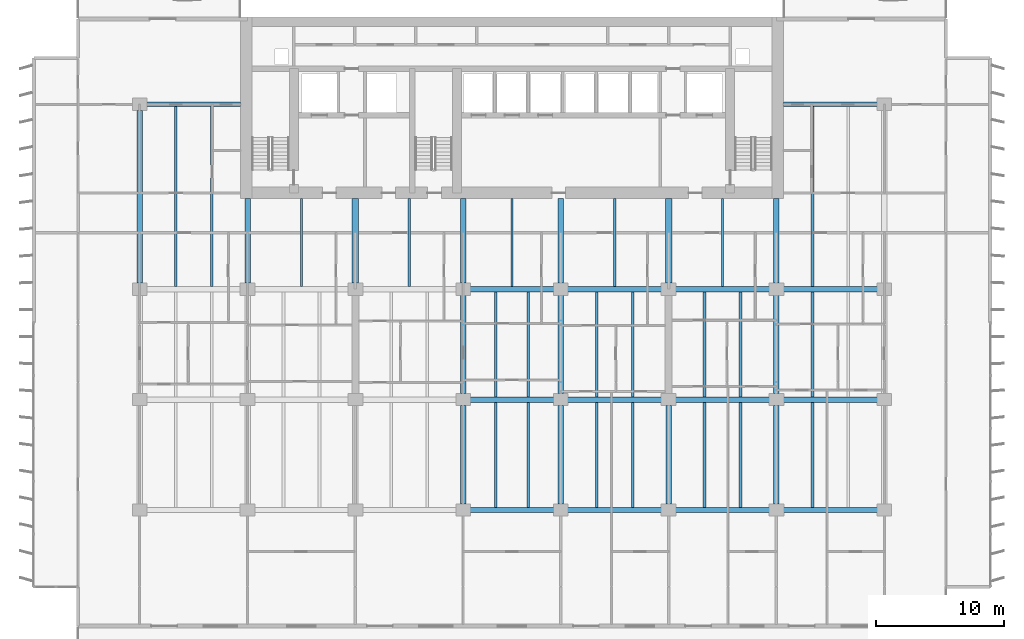
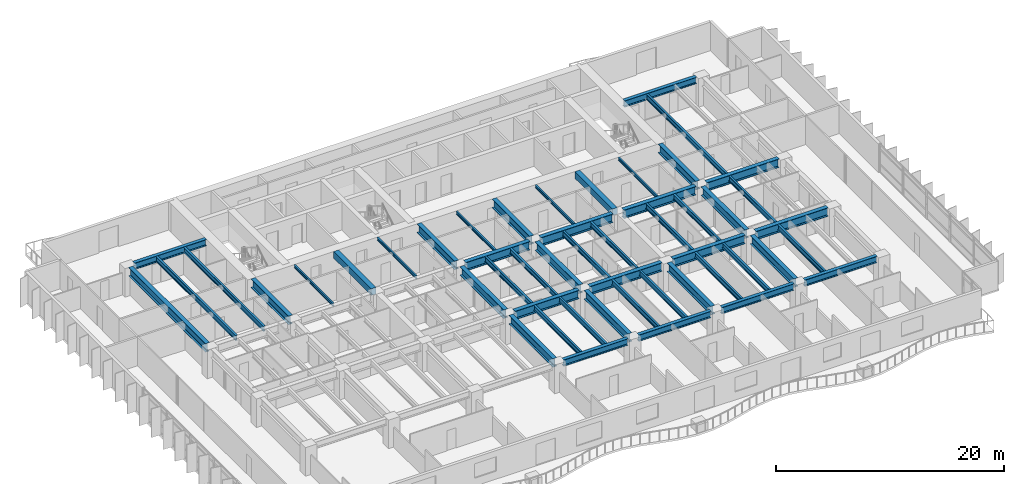
# One storey, part 3 of 17: 50 beams.
"""IFC4 building model written with IfcOpenShell, lengths in metres."""

import ifcopenshell
import ifcopenshell.guid

model = None  # the IFC model being written
_history = None  # IfcOwnerHistory: only IFC2X3 demands one
_inside = {}  # id of a spatial element -> (the spatial element, [elements in it])
_under = {}  # id of a project, library or spatial element -> (it, [spatial elements below it])
_declared = {}  # id of a project -> (the project, [libraries it declares])
_typed = {}  # id of a type object -> (the type object, [elements of that type])
_made_of = {}  # id of a material, layer set ... -> (it, [elements and type objects made of it])


def new_model(schema):
    """Start an empty IFC model of exactly this schema.

    Asked for "IFC4X3", IfcOpenShell would pick the latest addendum, in which some entities
    have other attributes; the version numbers below select the first issue.
    IFC2X3 requires an IfcOwnerHistory on every rooted entity: one is made here for all.
    """
    global model, _history
    if schema == "IFC4X3":
        model = ifcopenshell.file(schema_version=(4, 3, 0, 0))
    else:
        model = ifcopenshell.file(schema=schema)
    _inside.clear()
    _under.clear()
    _declared.clear()
    _typed.clear()
    _made_of.clear()
    _history = None
    if model.schema == "IFC2X3":
        org = make("IfcOrganization", Name="unknown")
        user = make(
            "IfcPersonAndOrganization",
            ThePerson=make("IfcPerson", FamilyName="unknown"),
            TheOrganization=org,
        )
        app = make(
            "IfcApplication",
            ApplicationDeveloper=org,
            Version="unknown",
            ApplicationFullName="unknown",
            ApplicationIdentifier="unknown",
        )
        _history = make(
            "IfcOwnerHistory",
            OwningUser=user,
            OwningApplication=app,
            ChangeAction="ADDED",
            CreationDate=0,
        )
    return model


def make(cls, **values):
    """One entity of the class cls with the attributes given. An attribute that is None is left unset."""
    return model.create_entity(
        cls, **{name: value for name, value in values.items() if value is not None}
    )


def rooted(cls, **values):
    """An entity with a GlobalId (a new one), such as an element, a storey or a relation."""
    return make(cls, GlobalId=ifcopenshell.guid.new(), OwnerHistory=_history, **values)


def si_unit(unit_type, name, prefix=None):
    """IfcSIUnit, for example si_unit("LENGTHUNIT", "METRE", prefix="MILLI")."""
    return make("IfcSIUnit", UnitType=unit_type, Prefix=prefix, Name=name)


def assignment(units):
    """IfcUnitAssignment: the units of a project."""
    return None if units is None else make("IfcUnitAssignment", Units=units)


def point(xyz):
    """IfcCartesianPoint."""
    return None if xyz is None else make("IfcCartesianPoint", Coordinates=xyz)


def direction(xyz):
    """IfcDirection."""
    return None if xyz is None else make("IfcDirection", DirectionRatios=xyz)


def frame(location, z_axis=None, x_axis=None):
    """IfcAxis2Placement3D, a coordinate frame: its origin and axes. An axis left out is left unset."""
    return make(
        "IfcAxis2Placement3D",
        Location=point(location),
        Axis=direction(z_axis),
        RefDirection=direction(x_axis),
    )


def frame_2d(location, x_axis=None):
    """IfcAxis2Placement2D, a coordinate frame in the plane: its origin and x axis."""
    return make(
        "IfcAxis2Placement2D", Location=point(location), RefDirection=direction(x_axis)
    )


def origin():
    """The frame at (0, 0, 0) with its axes left unset."""
    return frame((0.0, 0.0, 0.0))


def origin_2d():
    """The frame at (0, 0) in the plane with its x axis left unset."""
    return frame_2d((0.0, 0.0))


def place(relative_to, where):
    """IfcLocalPlacement: puts the frame where relative to a parent placement (None: the world)."""
    return make(
        "IfcLocalPlacement", PlacementRelTo=relative_to, RelativePlacement=where
    )


def context(
    kind, dimensions, precision=None, world=None, true_north=None, identifier=None
):
    """IfcGeometricRepresentationContext, for example the 3D "Model" context."""
    return make(
        "IfcGeometricRepresentationContext",
        ContextIdentifier=identifier,
        ContextType=kind,
        CoordinateSpaceDimension=dimensions,
        Precision=precision,
        WorldCoordinateSystem=world,
        TrueNorth=true_north,
    )


def subcontext(parent, identifier, kind, view, scale=None):
    """IfcGeometricRepresentationSubContext, for example "Body" below "Model"."""
    return make(
        "IfcGeometricRepresentationSubContext",
        ContextIdentifier=identifier,
        ContextType=kind,
        ParentContext=parent,
        TargetScale=scale,
        TargetView=view,
    )


def project(units=None, contexts=None):
    """IfcProject with its units and contexts."""
    return rooted(
        "IfcProject",
        Name="project",
        RepresentationContexts=contexts,
        UnitsInContext=assignment(units),
    )


def spatial(cls, under=None, at=None, **own):
    """A site, building, storey or space (cls), placed at a placement, below another one or the project."""
    s = rooted(cls, ObjectPlacement=at, **own)
    if under is not None:
        _under.setdefault(under.id(), (under, []))[1].append(s)
    return s


def profile(cls, at=None, kind="AREA", **sizes):
    """A parametric profile (cls). Its sizes go by their IFC names, for example OverallWidth=200.0."""
    return make(cls, ProfileType=kind, Position=at, **sizes)


def rectangle(**sizes):
    """IfcRectangleProfileDef."""
    return profile("IfcRectangleProfileDef", **sizes)


def i_section(**sizes):
    """IfcIShapeProfileDef."""
    return profile("IfcIShapeProfileDef", **sizes)


def extrude(swept, where, along, depth):
    """IfcExtrudedAreaSolid: the profile swept, set in the frame where, extruded along a direction by depth."""
    return make(
        "IfcExtrudedAreaSolid",
        SweptArea=swept,
        Position=where,
        ExtrudedDirection=direction(along),
        Depth=depth,
    )


def shape(context_of_items, identifier, shape_type, items):
    """IfcShapeRepresentation: the items that make up one representation, for example the "Body"."""
    return make(
        "IfcShapeRepresentation",
        ContextOfItems=context_of_items,
        RepresentationIdentifier=identifier,
        RepresentationType=shape_type,
        Items=items,
    )


def material(Name=None, Category=None):
    """IfcMaterial."""
    return make("IfcMaterial", Name=Name, Category=Category)


def material_profile(
    of_material, cross_section, Name=None, Category=None, Priority=None
):
    """IfcMaterialProfile: a cross section and its material."""
    return make(
        "IfcMaterialProfile",
        Name=Name,
        Material=of_material,
        Profile=cross_section,
        Priority=Priority,
        Category=Category,
    )


def profile_set(profiles, Name=None, composite=None):
    """IfcMaterialProfileSet."""
    return make(
        "IfcMaterialProfileSet",
        Name=Name,
        MaterialProfiles=profiles,
        CompositeProfile=composite,
    )


def made_of(thing, what):
    """Note that an element or type object is made of a material, layer set ...; save() writes the relation."""
    if what is not None:
        _made_of.setdefault(what.id(), (what, []))[1].append(thing)
    return thing


def type_object(cls, material=None, **own):
    """A type object (cls), such as IfcWallType, which elements share."""
    return made_of(rooted(cls, **own), material)


def element(
    cls,
    number,
    at=None,
    inside=None,
    cuts=None,
    type_object=None,
    material=None,
    context=None,
    identifier="Body",
    shape_type=None,
    held_by="IfcProductDefinitionShape",
    body=None,
    shapes=None,
    **own,
):
    """One element of the class cls, such as IfcWall. Its Tag is "e" and its number.

    at: its placement. inside: the storey or other place that contains it. cuts: it is an
    opening in that element (IfcRelVoidsElement). A single representation is given by context,
    identifier, shape_type and body (its items); several are given by shapes. held_by: the class
    of the entity that holds the representations. save() writes the other relations.
    """
    e = rooted(cls, Tag="e%d" % number, ObjectPlacement=at, **own)
    if body is not None:
        shapes = [shape(context, identifier, shape_type, body)]
    if shapes is not None:
        e.Representation = make(held_by, Representations=shapes)
    if inside is not None:
        _inside.setdefault(inside.id(), (inside, []))[1].append(e)
    if cuts is not None:
        rooted(
            "IfcRelVoidsElement", RelatingBuildingElement=cuts, RelatedOpeningElement=e
        )
    if type_object is not None:
        _typed.setdefault(type_object.id(), (type_object, []))[1].append(e)
    return made_of(e, material)


def aggregate(whole, parts):
    """IfcRelAggregates: a whole, such as a stair, and the parts it consists of."""
    return rooted("IfcRelAggregates", RelatingObject=whole, RelatedObjects=parts)


def save(model, path):
    """Write the relations noted so far, then the file.

    IfcRelAggregates (storeys below a building ...), IfcRelContainedInSpatialStructure (elements
    in a storey), IfcRelDefinesByType, IfcRelAssociatesMaterial and IfcRelDeclares: one each for
    every whole, place, type object, material and project.
    """
    for whole, parts in _under.values():
        aggregate(whole, parts)
    for where, things in _inside.values():
        rooted(
            "IfcRelContainedInSpatialStructure",
            RelatedElements=things,
            RelatingStructure=where,
        )
    for kind, things in _typed.values():
        rooted("IfcRelDefinesByType", RelatedObjects=things, RelatingType=kind)
    for what, things in _made_of.values():
        rooted("IfcRelAssociatesMaterial", RelatedObjects=things, RelatingMaterial=what)
    for by, libraries in _declared.values():
        rooted("IfcRelDeclares", RelatingContext=by, RelatedDefinitions=libraries)
    model.write(path)


model = new_model("IFC4")

# Units and contexts
model_context = context("Model", 3, precision=1e-05, world=origin(), true_north=direction((0.0, 1.0)))
body_context = subcontext(model_context, "Body", "Model", "MODEL_VIEW")
ifc_project = project(units=[si_unit("LENGTHUNIT", "METRE"), si_unit("AREAUNIT", "SQUARE_METRE"), si_unit("VOLUMEUNIT", "CUBIC_METRE"), si_unit("PLANEANGLEUNIT", "RADIAN"), si_unit("MASSUNIT", "GRAM", prefix="KILO")], contexts=[model_context])

# Site, building, storey
site_placement = place(None, origin())
site = spatial("IfcSite", under=ifc_project, at=site_placement, CompositionType="ELEMENT")
building_placement = place(site_placement, origin())
building = spatial("IfcBuilding", under=site, at=building_placement, Name="Caelmar Bay Residences", CompositionType="ELEMENT")
storey_placement = place(building_placement, frame((0.0, 0.0, 63.0)))
storey = spatial("IfcBuildingStorey", under=building, at=storey_placement, Name="L16", CompositionType="ELEMENT", Elevation=63.0)

# Beams
ifc_material_1 = material(Name="Steel ASTM A992 Grade 50", Category="steel")
ifc_material_profile_1 = material_profile(ifc_material_1, i_section(OverallWidth=0.422119140625, OverallDepth=0.925048828125, WebThickness=0.021240234375, FlangeThickness=0.03662109375, FilletRadius=0.020263671875, at=origin_2d()), Name="W36X262")
ifc_profile_set_1 = profile_set([ifc_material_profile_1], Name="Steel ASTM A992 Grade 50")
beam_type_1 = type_object("IfcBeamType", Name="BM-GRD-W36X262", PredefinedType="BEAM", material=ifc_profile_set_1)
beam_1_placement = place(storey_placement, frame((35.639892578125, 20.800048828125, 2.58740234375), z_axis=(1.0, 0.0, 0.0), x_axis=(0.0, 1.0, 0.0)))
element("IfcBeam", 1, at=beam_1_placement, inside=storey, type_object=beam_type_1, Name="L16 East-West Girder Y=20.80 (35.1-42.7)", PredefinedType="BEAM", context=body_context, shape_type="SweptSolid", body=[
    extrude(i_section(OverallWidth=0.422119140625, OverallDepth=0.925048828125, WebThickness=0.021240234375, FlangeThickness=0.03662109375, FilletRadius=0.020263671875, at=origin_2d()), origin(), (0.0, 0.0, 1.0), 6.52001953125),
])
for number, where, z_axis, x_axis, name in (
    (2, (43.239990234375, 20.800048828125, 2.58740234375), (1.0, 0.0, 0.0), (0.0, 1.0, 0.0), "L16 East-West Girder Y=20.80 (42.7-51.1)"),
    (3, (51.639892578125, 20.800048828125, 2.58740234375), (1.0, 0.0, 0.0), (0.0, 1.0, 0.0), "L16 East-West Girder Y=20.80 (51.1-59.5)"),
    (4, (60.0400390625, 20.800048828125, 2.58740234375), (1.0, 0.0, 0.0), (0.0, 1.0, 0.0), "L16 East-West Girder Y=20.80 (59.5-67.9)"),
):
    element("IfcBeam", number, at=place(storey_placement, frame(where, z_axis=z_axis, x_axis=x_axis)), inside=storey, type_object=beam_type_1, Name=name, PredefinedType="BEAM", context=body_context, shape_type="SweptSolid", body=[
        extrude(i_section(OverallWidth=0.422119140625, OverallDepth=0.925048828125, WebThickness=0.021240234375, FlangeThickness=0.03662109375, FilletRadius=0.020263671875, at=origin_2d()), origin(), (0.0, 0.0, 1.0), 7.320068359375),
    ])
beam_2_placement = place(storey_placement, frame((35.639892578125, 29.39990234375, 2.58740234375), z_axis=(1.0, 0.0, 0.0), x_axis=(0.0, 1.0, 0.0)))
element("IfcBeam", 5, at=beam_2_placement, inside=storey, type_object=beam_type_1, Name="L16 East-West Girder Y=29.40 (35.1-42.7)", PredefinedType="BEAM", context=body_context, shape_type="SweptSolid", body=[
    extrude(i_section(OverallWidth=0.422119140625, OverallDepth=0.925048828125, WebThickness=0.021240234375, FlangeThickness=0.03662109375, FilletRadius=0.020263671875, at=origin_2d()), origin(), (0.0, 0.0, 1.0), 6.52001953125),
])
for number, where, z_axis, x_axis, name in (
    (6, (43.239990234375, 29.39990234375, 2.58740234375), (1.0, 0.0, 0.0), (0.0, 1.0, 0.0), "L16 East-West Girder Y=29.40 (42.7-51.1)"),
    (7, (51.639892578125, 29.39990234375, 2.58740234375), (1.0, 0.0, 0.0), (0.0, 1.0, 0.0), "L16 East-West Girder Y=29.40 (51.1-59.5)"),
    (8, (60.0400390625, 29.39990234375, 2.58740234375), (1.0, 0.0, 0.0), (0.0, 1.0, 0.0), "L16 East-West Girder Y=29.40 (59.5-67.9)"),
):
    element("IfcBeam", number, at=place(storey_placement, frame(where, z_axis=z_axis, x_axis=x_axis)), inside=storey, type_object=beam_type_1, Name=name, PredefinedType="BEAM", context=body_context, shape_type="SweptSolid", body=[
        extrude(i_section(OverallWidth=0.422119140625, OverallDepth=0.925048828125, WebThickness=0.021240234375, FlangeThickness=0.03662109375, FilletRadius=0.020263671875, at=origin_2d()), origin(), (0.0, 0.0, 1.0), 7.320068359375),
    ])
beam_3_placement = place(storey_placement, frame((9.89990234375, 29.864990234375, 2.58740234375), z_axis=(0.0, 1.0, 0.0), x_axis=(-1.0, 0.0, 0.0)))
element("IfcBeam", 9, at=beam_3_placement, inside=storey, type_object=beam_type_1, Name="L16 North-South Girder X=9.90 (29.4-43.8)", PredefinedType="BEAM", context=body_context, shape_type="SweptSolid", body=[
    extrude(i_section(OverallWidth=0.422119140625, OverallDepth=0.925048828125, WebThickness=0.021240234375, FlangeThickness=0.03662109375, FilletRadius=0.020263671875, at=origin_2d()), origin(), (0.0, 0.0, 1.0), 13.469970703125),
])
for number, where, z_axis, x_axis, name in (
    (10, (18.300048828125, 29.864990234375, 2.58740234375), (0.0, 1.0, 0.0), (-1.0, 0.0, 0.0), "L16 Core Tie Girder X=18.30"),
    (11, (35.10009765625, 29.864990234375, 2.58740234375), (0.0, 1.0, 0.0), (-1.0, 0.0, 0.0), "L16 Core Tie Girder X=35.10"),
):
    element("IfcBeam", number, at=place(storey_placement, frame(where, z_axis=z_axis, x_axis=x_axis)), inside=storey, type_object=beam_type_1, Name=name, PredefinedType="BEAM", context=body_context, shape_type="SweptSolid", body=[
        extrude(i_section(OverallWidth=0.422119140625, OverallDepth=0.925048828125, WebThickness=0.021240234375, FlangeThickness=0.03662109375, FilletRadius=0.020263671875, at=origin_2d()), origin(), (0.0, 0.0, 1.0), 6.5849609375),
    ])
beam_4_placement = place(storey_placement, frame((35.10009765625, 12.6650390625, 2.58740234375), z_axis=(0.0, 1.0, 0.0), x_axis=(-1.0, 0.0, 0.0)))
element("IfcBeam", 12, at=beam_4_placement, inside=storey, type_object=beam_type_1, Name="L16 North-South Girder X=35.10 (12.2-20.8)", PredefinedType="BEAM", context=body_context, shape_type="SweptSolid", body=[
    extrude(i_section(OverallWidth=0.422119140625, OverallDepth=0.925048828125, WebThickness=0.021240234375, FlangeThickness=0.03662109375, FilletRadius=0.020263671875, at=origin_2d()), origin(), (0.0, 0.0, 1.0), 7.669921875),
])
beam_5_placement = place(storey_placement, frame((35.10009765625, 21.264892578125, 2.58740234375), z_axis=(0.0, 1.0, 0.0), x_axis=(-1.0, 0.0, 0.0)))
element("IfcBeam", 13, at=beam_5_placement, inside=storey, type_object=beam_type_1, Name="L16 North-South Girder X=35.10 (20.8-29.4)", PredefinedType="BEAM", context=body_context, shape_type="SweptSolid", body=[
    extrude(i_section(OverallWidth=0.422119140625, OverallDepth=0.925048828125, WebThickness=0.021240234375, FlangeThickness=0.03662109375, FilletRadius=0.020263671875, at=origin_2d()), origin(), (0.0, 0.0, 1.0), 7.670166015625),
])
beam_6_placement = place(storey_placement, frame((42.699951171875, 29.864990234375, 2.58740234375), z_axis=(0.0, 1.0, 0.0), x_axis=(-1.0, 0.0, 0.0)))
element("IfcBeam", 14, at=beam_6_placement, inside=storey, type_object=beam_type_1, Name="L16 Core Tie Girder X=42.70", PredefinedType="BEAM", context=body_context, shape_type="SweptSolid", body=[
    extrude(i_section(OverallWidth=0.422119140625, OverallDepth=0.925048828125, WebThickness=0.021240234375, FlangeThickness=0.03662109375, FilletRadius=0.020263671875, at=origin_2d()), origin(), (0.0, 0.0, 1.0), 6.5849609375),
])
beam_7_placement = place(storey_placement, frame((42.699951171875, 12.6650390625, 2.58740234375), z_axis=(0.0, 1.0, 0.0), x_axis=(-1.0, 0.0, 0.0)))
element("IfcBeam", 15, at=beam_7_placement, inside=storey, type_object=beam_type_1, Name="L16 North-South Girder X=42.70 (12.2-20.8)", PredefinedType="BEAM", context=body_context, shape_type="SweptSolid", body=[
    extrude(i_section(OverallWidth=0.422119140625, OverallDepth=0.925048828125, WebThickness=0.021240234375, FlangeThickness=0.03662109375, FilletRadius=0.020263671875, at=origin_2d()), origin(), (0.0, 0.0, 1.0), 7.669921875),
])
beam_8_placement = place(storey_placement, frame((42.699951171875, 21.264892578125, 2.58740234375), z_axis=(0.0, 1.0, 0.0), x_axis=(-1.0, 0.0, 0.0)))
element("IfcBeam", 16, at=beam_8_placement, inside=storey, type_object=beam_type_1, Name="L16 North-South Girder X=42.70 (20.8-29.4)", PredefinedType="BEAM", context=body_context, shape_type="SweptSolid", body=[
    extrude(i_section(OverallWidth=0.422119140625, OverallDepth=0.925048828125, WebThickness=0.021240234375, FlangeThickness=0.03662109375, FilletRadius=0.020263671875, at=origin_2d()), origin(), (0.0, 0.0, 1.0), 7.670166015625),
])
beam_9_placement = place(storey_placement, frame((51.10009765625, 12.6650390625, 2.58740234375), z_axis=(0.0, 1.0, 0.0), x_axis=(-1.0, 0.0, 0.0)))
element("IfcBeam", 17, at=beam_9_placement, inside=storey, type_object=beam_type_1, Name="L16 North-South Girder X=51.10 (12.2-20.8)", PredefinedType="BEAM", context=body_context, shape_type="SweptSolid", body=[
    extrude(i_section(OverallWidth=0.422119140625, OverallDepth=0.925048828125, WebThickness=0.021240234375, FlangeThickness=0.03662109375, FilletRadius=0.020263671875, at=origin_2d()), origin(), (0.0, 0.0, 1.0), 7.669921875),
])
beam_10_placement = place(storey_placement, frame((59.5, 29.864990234375, 2.58740234375), z_axis=(0.0, 1.0, 0.0), x_axis=(-1.0, 0.0, 0.0)))
element("IfcBeam", 18, at=beam_10_placement, inside=storey, type_object=beam_type_1, Name="L16 Core Tie Girder X=59.50", PredefinedType="BEAM", context=body_context, shape_type="SweptSolid", body=[
    extrude(i_section(OverallWidth=0.422119140625, OverallDepth=0.925048828125, WebThickness=0.021240234375, FlangeThickness=0.03662109375, FilletRadius=0.020263671875, at=origin_2d()), origin(), (0.0, 0.0, 1.0), 6.5849609375),
])
beam_11_placement = place(storey_placement, frame((59.5, 12.6650390625, 2.58740234375), z_axis=(0.0, 1.0, 0.0), x_axis=(-1.0, 0.0, 0.0)))
element("IfcBeam", 19, at=beam_11_placement, inside=storey, type_object=beam_type_1, Name="L16 North-South Girder X=59.50 (12.2-20.8)", PredefinedType="BEAM", context=body_context, shape_type="SweptSolid", body=[
    extrude(i_section(OverallWidth=0.422119140625, OverallDepth=0.925048828125, WebThickness=0.021240234375, FlangeThickness=0.03662109375, FilletRadius=0.020263671875, at=origin_2d()), origin(), (0.0, 0.0, 1.0), 7.669921875),
])
beam_12_placement = place(storey_placement, frame((59.5, 21.264892578125, 2.58740234375), z_axis=(0.0, 1.0, 0.0), x_axis=(-1.0, 0.0, 0.0)))
element("IfcBeam", 20, at=beam_12_placement, inside=storey, type_object=beam_type_1, Name="L16 North-South Girder X=59.50 (20.8-29.4)", PredefinedType="BEAM", context=body_context, shape_type="SweptSolid", body=[
    extrude(i_section(OverallWidth=0.422119140625, OverallDepth=0.925048828125, WebThickness=0.021240234375, FlangeThickness=0.03662109375, FilletRadius=0.020263671875, at=origin_2d()), origin(), (0.0, 0.0, 1.0), 7.670166015625),
])
ifc_material_profile_2 = material_profile(ifc_material_1, i_section(OverallWidth=0.1650390625, OverallDepth=0.31005859375, WebThickness=0.005859375, FlangeThickness=0.009765625, FilletRadius=0.007568359375, at=origin_2d()), Name="W12X26")
ifc_profile_set_2 = profile_set([ifc_material_profile_2], Name="Steel ASTM A992 Grade 50")
beam_type_2 = type_object("IfcBeamType", Name="BM-JST-W12X26", PredefinedType="JOIST", material=ifc_profile_set_2)
for number, where, z_axis, x_axis, name in (
    (21, (22.5, 29.611083984375, 2.89501953125), (0.0, 1.0, 0.0), (-1.0, 0.0, 0.0), "L16 Core-Band Composite Joist 29"),
    (22, (30.89990234375, 29.611083984375, 2.89501953125), (0.0, 1.0, 0.0), (-1.0, 0.0, 0.0), "L16 Core-Band Composite Joist 30"),
    (23, (38.89990234375, 29.611083984375, 2.89501953125), (0.0, 1.0, 0.0), (-1.0, 0.0, 0.0), "L16 Core-Band Composite Joist 31"),
    (24, (46.89990234375, 29.611083984375, 2.89501953125), (0.0, 1.0, 0.0), (-1.0, 0.0, 0.0), "L16 Core-Band Composite Joist 32"),
    (25, (55.300048828125, 29.611083984375, 2.89501953125), (0.0, 1.0, 0.0), (-1.0, 0.0, 0.0), "L16 Core-Band Composite Joist 33"),
):
    element("IfcBeam", number, at=place(storey_placement, frame(where, z_axis=z_axis, x_axis=x_axis)), inside=storey, type_object=beam_type_2, Name=name, PredefinedType="JOIST", context=body_context, shape_type="SweptSolid", body=[
        extrude(i_section(OverallWidth=0.1650390625, OverallDepth=0.31005859375, WebThickness=0.005859375, FlangeThickness=0.009765625, FilletRadius=0.007568359375, at=origin_2d()), origin(), (0.0, 0.0, 1.0), 6.8388671875),
    ])
ifc_material_profile_3 = material_profile(ifc_material_1, i_section(OverallWidth=0.2099609375, OverallDepth=0.535888671875, WebThickness=0.010986328125, FlangeThickness=0.017333984375, FilletRadius=0.0126953125, at=origin_2d()), Name="W21X68")
ifc_profile_set_3 = profile_set([ifc_material_profile_3], Name="Steel ASTM A992 Grade 50")
beam_type_3 = type_object("IfcBeamType", Name="BM-JST-W21X68", PredefinedType="JOIST", material=ifc_profile_set_3)
for number, where, z_axis, x_axis, name in (
    (26, (40.166748046875, 12.3779296875, 2.781982421875), (0.0, 1.0, 0.0), (-1.0, 0.0, 0.0), "L16 Composite Floor Joist 8"),
    (27, (48.300048828125, 12.3779296875, 2.781982421875), (0.0, 1.0, 0.0), (-1.0, 0.0, 0.0), "L16 Composite Floor Joist 10"),
    (28, (56.699951171875, 12.3779296875, 2.781982421875), (0.0, 1.0, 0.0), (-1.0, 0.0, 0.0), "L16 Composite Floor Joist 12"),
):
    element("IfcBeam", number, at=place(storey_placement, frame(where, z_axis=z_axis, x_axis=x_axis)), inside=storey, type_object=beam_type_3, Name=name, PredefinedType="JOIST", context=body_context, shape_type="SweptSolid", body=[
        extrude(i_section(OverallWidth=0.2099609375, OverallDepth=0.535888671875, WebThickness=0.010986328125, FlangeThickness=0.017333984375, FilletRadius=0.0126953125, at=origin_2d()), origin(), (0.0, 0.0, 1.0), 8.211181640625),
    ])
for number, where, z_axis, x_axis, name in (
    (29, (40.166748046875, 21.010986328125, 2.781982421875), (0.0, 1.0, 0.0), (-1.0, 0.0, 0.0), "L16 Composite Floor Joist 22"),
    (30, (48.300048828125, 21.010986328125, 2.781982421875), (0.0, 1.0, 0.0), (-1.0, 0.0, 0.0), "L16 Composite Floor Joist 24"),
    (31, (56.699951171875, 21.010986328125, 2.781982421875), (0.0, 1.0, 0.0), (-1.0, 0.0, 0.0), "L16 Composite Floor Joist 26"),
):
    element("IfcBeam", number, at=place(storey_placement, frame(where, z_axis=z_axis, x_axis=x_axis)), inside=storey, type_object=beam_type_3, Name=name, PredefinedType="JOIST", context=body_context, shape_type="SweptSolid", body=[
        extrude(i_section(OverallWidth=0.2099609375, OverallDepth=0.535888671875, WebThickness=0.010986328125, FlangeThickness=0.017333984375, FilletRadius=0.0126953125, at=origin_2d()), origin(), (0.0, 0.0, 1.0), 8.177978515625),
    ])
beam_13_placement = place(storey_placement, frame((15.5, 29.611083984375, 2.781982421875), z_axis=(0.0, 1.0, 0.0), x_axis=(-1.0, 0.0, 0.0)))
element("IfcBeam", 32, at=beam_13_placement, inside=storey, type_object=beam_type_3, Name="L16 Composite Floor Joist 35", PredefinedType="JOIST", context=body_context, shape_type="SweptSolid", body=[
    extrude(i_section(OverallWidth=0.2099609375, OverallDepth=0.535888671875, WebThickness=0.010986328125, FlangeThickness=0.017333984375, FilletRadius=0.0126953125, at=origin_2d()), origin(), (0.0, 0.0, 1.0), 14.010986328125),
])
ifc_material_profile_4 = material_profile(ifc_material_1, i_section(OverallWidth=0.214111328125, OverallDepth=0.549072265625, WebThickness=0.0146484375, FlangeThickness=0.023681640625, FilletRadius=0.0126953125, at=origin_2d()), Name="W21X93")
ifc_profile_set_4 = profile_set([ifc_material_profile_4], Name="Steel ASTM A992 Grade 50")
beam_type_4 = type_object("IfcBeamType", Name="BM-JST-W21X93", PredefinedType="JOIST", material=ifc_profile_set_4)
for number, where, z_axis, x_axis, name in (
    (33, (37.63330078125, 12.3779296875, 2.775390625), (0.0, 1.0, 0.0), (-1.0, 0.0, 0.0), "L16 Composite Floor Joist 7"),
    (34, (45.5, 12.3779296875, 2.775390625), (0.0, 1.0, 0.0), (-1.0, 0.0, 0.0), "L16 Composite Floor Joist 9"),
    (35, (53.89990234375, 12.3779296875, 2.775390625), (0.0, 1.0, 0.0), (-1.0, 0.0, 0.0), "L16 Composite Floor Joist 11"),
    (36, (62.300048828125, 12.3779296875, 2.775390625), (0.0, 1.0, 0.0), (-1.0, 0.0, 0.0), "L16 Composite Floor Joist 13"),
):
    element("IfcBeam", number, at=place(storey_placement, frame(where, z_axis=z_axis, x_axis=x_axis)), inside=storey, type_object=beam_type_4, Name=name, PredefinedType="JOIST", context=body_context, shape_type="SweptSolid", body=[
        extrude(i_section(OverallWidth=0.214111328125, OverallDepth=0.549072265625, WebThickness=0.0146484375, FlangeThickness=0.023681640625, FilletRadius=0.0126953125, at=origin_2d()), origin(), (0.0, 0.0, 1.0), 8.211181640625),
    ])
for number, where, z_axis, x_axis, name in (
    (37, (37.63330078125, 21.010986328125, 2.775390625), (0.0, 1.0, 0.0), (-1.0, 0.0, 0.0), "L16 Composite Floor Joist 21"),
    (38, (45.5, 21.010986328125, 2.775390625), (0.0, 1.0, 0.0), (-1.0, 0.0, 0.0), "L16 Composite Floor Joist 23"),
    (39, (53.89990234375, 21.010986328125, 2.775390625), (0.0, 1.0, 0.0), (-1.0, 0.0, 0.0), "L16 Composite Floor Joist 25"),
    (40, (62.300048828125, 21.010986328125, 2.775390625), (0.0, 1.0, 0.0), (-1.0, 0.0, 0.0), "L16 Composite Floor Joist 27"),
):
    element("IfcBeam", number, at=place(storey_placement, frame(where, z_axis=z_axis, x_axis=x_axis)), inside=storey, type_object=beam_type_4, Name=name, PredefinedType="JOIST", context=body_context, shape_type="SweptSolid", body=[
        extrude(i_section(OverallWidth=0.214111328125, OverallDepth=0.549072265625, WebThickness=0.0146484375, FlangeThickness=0.023681640625, FilletRadius=0.0126953125, at=origin_2d()), origin(), (0.0, 0.0, 1.0), 8.177978515625),
    ])
for number, where, z_axis, x_axis, name in (
    (41, (12.699951171875, 29.611083984375, 2.775390625), (0.0, 1.0, 0.0), (-1.0, 0.0, 0.0), "L16 Composite Floor Joist 34"),
    (42, (62.300048828125, 29.611083984375, 2.775390625), (0.0, 1.0, 0.0), (-1.0, 0.0, 0.0), "L16 Composite Floor Joist 36"),
):
    element("IfcBeam", number, at=place(storey_placement, frame(where, z_axis=z_axis, x_axis=x_axis)), inside=storey, type_object=beam_type_4, Name=name, PredefinedType="JOIST", context=body_context, shape_type="SweptSolid", body=[
        extrude(i_section(OverallWidth=0.214111328125, OverallDepth=0.549072265625, WebThickness=0.0146484375, FlangeThickness=0.023681640625, FilletRadius=0.0126953125, at=origin_2d()), origin(), (0.0, 0.0, 1.0), 14.010986328125),
    ])
ifc_material_2 = material(Name="Concrete f'c 55 MPa (8,000 psi)", Category="concrete")
ifc_material_profile_5 = material_profile(ifc_material_2, rectangle(XDim=0.5, YDim=0.699951171875, at=origin_2d()), Name="RC-BM-500X700")
ifc_profile_set_5 = profile_set([ifc_material_profile_5], Name="Concrete f'c 55 MPa (8,000 psi)")
beam_type_5 = type_object("IfcBeamType", Name="BM-RC-500X700", PredefinedType="LINTEL", material=ifc_profile_set_5)
for number, where, z_axis, x_axis, name in (
    (43, (26.699951171875, 29.864990234375, 2.699951171875), (0.0, 1.0, 0.0), (-1.0, 0.0, 0.0), "L16 Shear-Wall Corridor Coupling Lintel W5"),
    (44, (51.10009765625, 29.864990234375, 2.699951171875), (0.0, 1.0, 0.0), (-1.0, 0.0, 0.0), "L16 Shear-Wall Corridor Coupling Lintel E8"),
):
    element("IfcBeam", number, at=place(storey_placement, frame(where, z_axis=z_axis, x_axis=x_axis)), inside=storey, type_object=beam_type_5, Name=name, PredefinedType="LINTEL", context=body_context, shape_type="SweptSolid", body=[
        extrude(rectangle(XDim=0.5, YDim=0.699951171875, at=origin_2d()), origin(), (0.0, 0.0, 1.0), 6.5849609375),
    ])
ifc_material_profile_6 = material_profile(ifc_material_1, i_section(OverallWidth=0.35595703125, OverallDepth=0.696044921875, WebThickness=0.015380859375, FlangeThickness=0.02490234375, FilletRadius=0.01513671875, at=origin_2d()), Name="W27X146")
ifc_profile_set_6 = profile_set([ifc_material_profile_6], Name="Steel ASTM A992 Grade 50")
beam_type_6 = type_object("IfcBeamType", Name="BM-SPN-W27X146", PredefinedType="SPANDREL", material=ifc_profile_set_6)
beam_14_placement = place(storey_placement, frame((35.639892578125, 12.199951171875, 2.701904296875), z_axis=(1.0, 0.0, 0.0), x_axis=(0.0, 1.0, 0.0)))
element("IfcBeam", 45, at=beam_14_placement, inside=storey, type_object=beam_type_6, Name="L16 East-West Girder Y=12.20 (35.1-42.7)", PredefinedType="SPANDREL", context=body_context, shape_type="SweptSolid", body=[
    extrude(i_section(OverallWidth=0.35595703125, OverallDepth=0.696044921875, WebThickness=0.015380859375, FlangeThickness=0.02490234375, FilletRadius=0.01513671875, at=origin_2d()), origin(), (0.0, 0.0, 1.0), 6.52001953125),
])
for number, where, z_axis, x_axis, name in (
    (46, (43.239990234375, 12.199951171875, 2.701904296875), (1.0, 0.0, 0.0), (0.0, 1.0, 0.0), "L16 East-West Girder Y=12.20 (42.7-51.1)"),
    (47, (51.639892578125, 12.199951171875, 2.701904296875), (1.0, 0.0, 0.0), (0.0, 1.0, 0.0), "L16 East-West Girder Y=12.20 (51.1-59.5)"),
    (48, (60.0400390625, 12.199951171875, 2.701904296875), (1.0, 0.0, 0.0), (0.0, 1.0, 0.0), "L16 East-West Girder Y=12.20 (59.5-67.9)"),
):
    element("IfcBeam", number, at=place(storey_placement, frame(where, z_axis=z_axis, x_axis=x_axis)), inside=storey, type_object=beam_type_6, Name=name, PredefinedType="SPANDREL", context=body_context, shape_type="SweptSolid", body=[
        extrude(i_section(OverallWidth=0.35595703125, OverallDepth=0.696044921875, WebThickness=0.015380859375, FlangeThickness=0.02490234375, FilletRadius=0.01513671875, at=origin_2d()), origin(), (0.0, 0.0, 1.0), 7.320068359375),
    ])
for number, where, z_axis, x_axis, name in (
    (49, (10.43994140625, 43.800048828125, 2.701904296875), (1.0, 0.0, 0.0), (0.0, 1.0, 0.0), "L16 North-West Wing Core Tie Girder"),
    (50, (60.050048828125, 43.800048828125, 2.701904296875), (1.0, 0.0, 0.0), (0.0, 1.0, 0.0), "L16 North-East Wing Core Tie Girder"),
):
    element("IfcBeam", number, at=place(storey_placement, frame(where, z_axis=z_axis, x_axis=x_axis)), inside=storey, type_object=beam_type_6, Name=name, PredefinedType="SPANDREL", context=body_context, shape_type="SweptSolid", body=[
        extrude(i_section(OverallWidth=0.35595703125, OverallDepth=0.696044921875, WebThickness=0.015380859375, FlangeThickness=0.02490234375, FilletRadius=0.01513671875, at=origin_2d()), origin(), (0.0, 0.0, 1.0), 7.31005859375),
    ])

save(model, "model.ifc")
